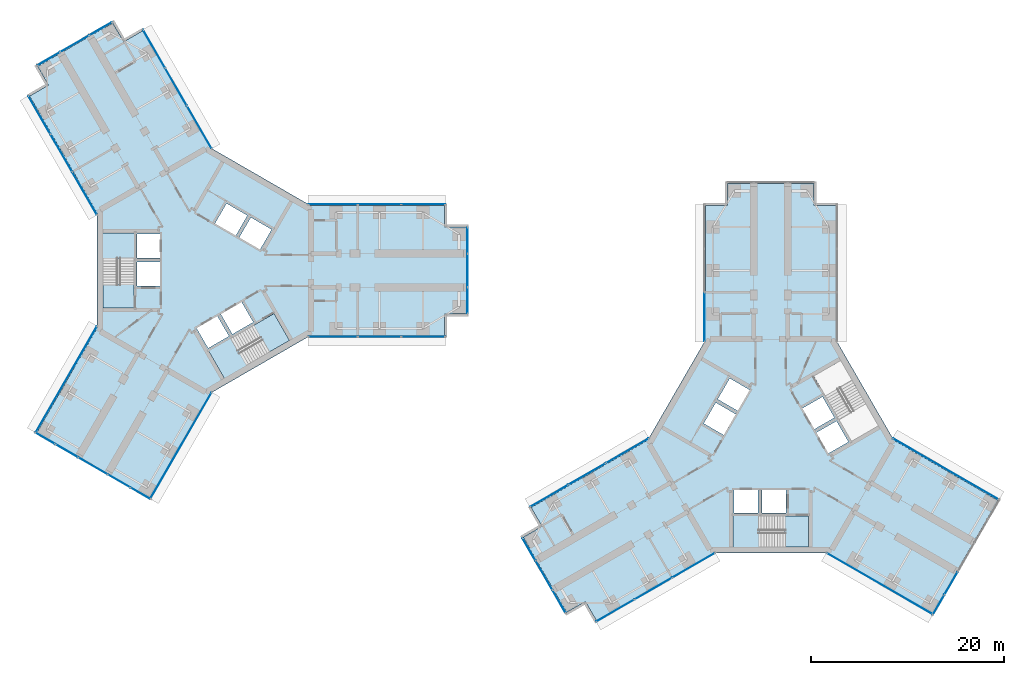
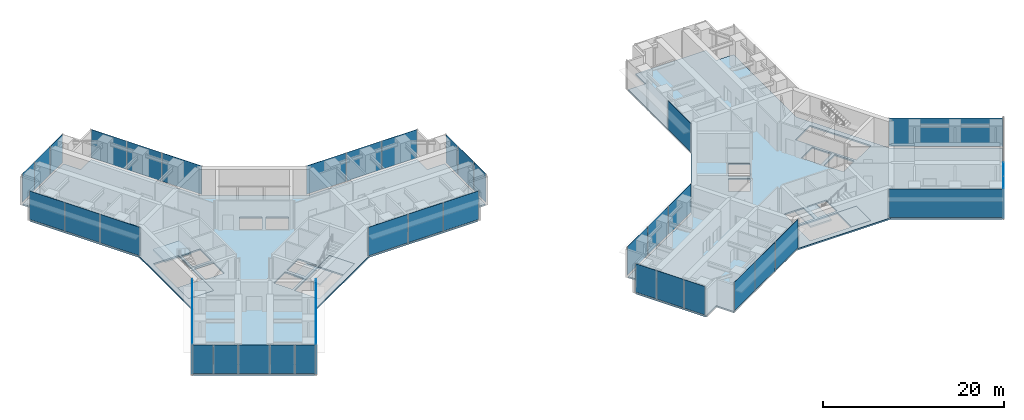
# One storey, part 13 of 21: 39 plates, 8 slabs, 19 elements without a shape of their own.
"""IFC4 building model written with IfcOpenShell, lengths in metres."""

from ifc_helpers import new_model, si_unit, direction, frame, origin, origin_2d, place, context, subcontext, project, spatial, polyline, rectangle, outline, extrude, material, layer, layer_set, type_object, element, aggregate, save


model = new_model("IFC4")

# Units and contexts
model_context = context("Model", 3, precision=1e-05, world=origin(), true_north=direction((0.0, 1.0)))
body_context = subcontext(model_context, "Body", "Model", "MODEL_VIEW")
ifc_project = project(units=[si_unit("LENGTHUNIT", "METRE"), si_unit("AREAUNIT", "SQUARE_METRE"), si_unit("VOLUMEUNIT", "CUBIC_METRE"), si_unit("PLANEANGLEUNIT", "RADIAN"), si_unit("MASSUNIT", "GRAM", prefix="KILO")], contexts=[model_context])

# Site, building, storey
site_placement = place(None, origin())
site = spatial("IfcSite", under=ifc_project, at=site_placement, CompositionType="ELEMENT")
building_placement = place(site_placement, origin())
building = spatial("IfcBuilding", under=site, at=building_placement, Name="Upepo Twin Towers", CompositionType="ELEMENT")
storey_placement = place(building_placement, frame((0.0, 0.0, 109.5)))
storey = spatial("IfcBuildingStorey", under=building, at=storey_placement, Name="L26", CompositionType="ELEMENT", Elevation=109.5)

# Curtain wall, plates
ifc_material_1 = material(Name="Aluminium and fritted glass", Category="aluminium")
curtain_wall_type = type_object("IfcCurtainWallType", Name="Tower curtain wall TW2, fritted glass", PredefinedType="NOTDEFINED", material=ifc_material_1)
curtain_wall_1_placement = place(storey_placement, origin())
curtain_wall_1 = element("IfcCurtainWall", 1, at=curtain_wall_1_placement, inside=storey, type_object=curtain_wall_type, Name="T1 L26 wing A flank L curtain wall", PredefinedType="NOTDEFINED")
ifc_material_2 = material(Name="Ceramic-fritted laminated glass", Category="glass")
ifc_layer_1 = layer(ifc_material_2, 0.031982421875)
ifc_layer_set_1 = layer_set([ifc_layer_1], Name="Fritted glass panel, 35 per cent dot frit, 32 mm double glazed")
plate_type_1 = type_object("IfcPlateType", Name="Fritted glass panel, 35 per cent dot frit, 32 mm double glazed", PredefinedType="CURTAIN_PANEL", material=ifc_layer_set_1)
plate_1_placement = place(storey_placement, frame((13.184814453125, 6.85009765625, 0.14990234375), z_axis=(0.0, 0.0, 1.0), x_axis=(1.0, 0.0, 0.0)))
plate_1 = element("IfcPlate", 2, at=plate_1_placement, type_object=plate_type_1, Name="T1 L26 wing A flank L curtain wall panel 1", PredefinedType="CURTAIN_PANEL", context=body_context, shape_type="SweptSolid", body=[
    extrude(rectangle(XDim=5.0654296875, YDim=0.031982421875, at=origin_2d()), origin(), (0.0, 0.0, 1.0), 3.85009765625),
])
plate_2_placement = place(storey_placement, frame((18.0, 6.85009765625, 0.14990234375), z_axis=(0.0, 0.0, 1.0), x_axis=(1.0, 0.0, 0.0)))
plate_2 = element("IfcPlate", 3, at=plate_2_placement, type_object=plate_type_1, Name="T1 L26 wing A flank L curtain wall panel 2", PredefinedType="CURTAIN_PANEL", context=body_context, shape_type="SweptSolid", body=[
    extrude(rectangle(XDim=4.43505859375, YDim=0.031982421875, at=origin_2d()), origin(), (0.0, 0.0, 1.0), 3.85009765625),
])
plate_3_placement = place(storey_placement, frame((22.53369140625, 6.85009765625, 0.14990234375), z_axis=(0.0, 0.0, 1.0), x_axis=(1.0, 0.0, 0.0)))
plate_3 = element("IfcPlate", 4, at=plate_3_placement, type_object=plate_type_1, Name="T1 L26 wing A flank L curtain wall panel 3", PredefinedType="CURTAIN_PANEL", context=body_context, shape_type="SweptSolid", body=[
    extrude(rectangle(XDim=4.50244140625, YDim=0.031982421875, at=origin_2d()), origin(), (0.0, 0.0, 1.0), 3.85009765625),
])
aggregate(curtain_wall_1, [plate_1, plate_2, plate_3])

curtain_wall_2_placement = place(storey_placement, origin())
curtain_wall_2 = element("IfcCurtainWall", 5, at=curtain_wall_2_placement, inside=storey, type_object=curtain_wall_type, Name="T1 L26 wing A flank R curtain wall", PredefinedType="NOTDEFINED")
plate_4_placement = place(storey_placement, frame((22.53369140625, -6.85009765625, 0.14990234375), z_axis=(0.0, 0.0, 1.0), x_axis=(-1.0, 0.0, 0.0)))
plate_4 = element("IfcPlate", 6, at=plate_4_placement, type_object=plate_type_1, Name="T1 L26 wing A flank R curtain wall panel 1", PredefinedType="CURTAIN_PANEL", context=body_context, shape_type="SweptSolid", body=[
    extrude(rectangle(XDim=4.50244140625, YDim=0.031982421875, at=origin_2d()), origin(), (0.0, 0.0, 1.0), 3.85009765625),
])
plate_5_placement = place(storey_placement, frame((18.0, -6.85009765625, 0.14990234375), z_axis=(0.0, 0.0, 1.0), x_axis=(-1.0, 0.0, 0.0)))
plate_5 = element("IfcPlate", 7, at=plate_5_placement, type_object=plate_type_1, Name="T1 L26 wing A flank R curtain wall panel 2", PredefinedType="CURTAIN_PANEL", context=body_context, shape_type="SweptSolid", body=[
    extrude(rectangle(XDim=4.43505859375, YDim=0.031982421875, at=origin_2d()), origin(), (0.0, 0.0, 1.0), 3.85009765625),
])
plate_6_placement = place(storey_placement, frame((13.184814453125, -6.85009765625, 0.14990234375), z_axis=(0.0, 0.0, 1.0), x_axis=(-1.0, 0.0, 0.0)))
plate_6 = element("IfcPlate", 8, at=plate_6_placement, type_object=plate_type_1, Name="T1 L26 wing A flank R curtain wall panel 3", PredefinedType="CURTAIN_PANEL", context=body_context, shape_type="SweptSolid", body=[
    extrude(rectangle(XDim=5.0654296875, YDim=0.031982421875, at=origin_2d()), origin(), (0.0, 0.0, 1.0), 3.85009765625),
])
aggregate(curtain_wall_2, [plate_4, plate_5, plate_6])

# Curtain wall, plate
curtain_wall_3_placement = place(storey_placement, origin())
curtain_wall_3 = element("IfcCurtainWall", 9, at=curtain_wall_3_placement, inside=storey, type_object=curtain_wall_type, Name="T1 L26 wing A nose curtain wall", PredefinedType="NOTDEFINED")
plate_7_placement = place(storey_placement, frame((27.10009765625, 0.0, 0.14990234375), z_axis=(0.0, 0.0, 1.0), x_axis=(0.0, 1.0, 0.0)))
plate_7 = element("IfcPlate", 10, at=plate_7_placement, type_object=plate_type_1, Name="T1 L26 wing A nose curtain wall panel 2", PredefinedType="CURTAIN_PANEL", context=body_context, shape_type="SweptSolid", body=[
    extrude(rectangle(XDim=3.43505859375, YDim=0.031982421875, at=origin_2d()), origin(), (0.0, 0.0, 1.0), 3.85009765625),
])

# Curtain wall, plates
curtain_wall_4_placement = place(storey_placement, origin())
curtain_wall_4 = element("IfcCurtainWall", 11, at=curtain_wall_4_placement, inside=storey, type_object=curtain_wall_type, Name="T1 L26 wing B flank L curtain wall", PredefinedType="NOTDEFINED")
plate_8_placement = place(storey_placement, frame((-12.524658203125, 7.993408203125, 0.14990234375), z_axis=(0.0, 0.0, 1.0), x_axis=(-0.500000010308, 0.866025397833, 0.0)))
plate_8 = element("IfcPlate", 12, at=plate_8_placement, type_object=plate_type_1, Name="T1 L26 wing B flank L curtain wall panel 1", PredefinedType="CURTAIN_PANEL", context=body_context, shape_type="SweptSolid", body=[
    extrude(rectangle(XDim=5.0654296875, YDim=0.031982421875, at=origin_2d()), origin(), (0.0, 0.0, 1.0), 3.85009765625),
])
plate_9_placement = place(storey_placement, frame((-14.932373046875, 12.16357421875, 0.14990234375), z_axis=(0.0, 0.0, 1.0), x_axis=(-0.500000010308, 0.866025397833, 0.0)))
plate_9 = element("IfcPlate", 13, at=plate_9_placement, type_object=plate_type_1, Name="T1 L26 wing B flank L curtain wall panel 2", PredefinedType="CURTAIN_PANEL", context=body_context, shape_type="SweptSolid", body=[
    extrude(rectangle(XDim=4.43505859375, YDim=0.031982421875, at=origin_2d()), origin(), (0.0, 0.0, 1.0), 3.85009765625),
])
plate_10_placement = place(storey_placement, frame((-17.19921875, 16.08984375, 0.14990234375), z_axis=(0.0, 0.0, 1.0), x_axis=(-0.500000010308, 0.866025397833, 0.0)))
plate_10 = element("IfcPlate", 14, at=plate_10_placement, type_object=plate_type_1, Name="T1 L26 wing B flank L curtain wall panel 3", PredefinedType="CURTAIN_PANEL", context=body_context, shape_type="SweptSolid", body=[
    extrude(rectangle(XDim=4.50244140625, YDim=0.031982421875, at=origin_2d()), origin(), (0.0, 0.0, 1.0), 3.85009765625),
])
aggregate(curtain_wall_4, [plate_8, plate_9, plate_10])

curtain_wall_5_placement = place(storey_placement, origin())
curtain_wall_5 = element("IfcCurtainWall", 15, at=curtain_wall_5_placement, inside=storey, type_object=curtain_wall_type, Name="T1 L26 wing B flank R curtain wall", PredefinedType="NOTDEFINED")
plate_11_placement = place(storey_placement, frame((-5.334716796875, 22.939697265625, 0.14990234375), z_axis=(0.0, 0.0, 1.0), x_axis=(0.500000010308, -0.866025397833, 0.0)))
plate_11 = element("IfcPlate", 16, at=plate_11_placement, type_object=plate_type_1, Name="T1 L26 wing B flank R curtain wall panel 1", PredefinedType="CURTAIN_PANEL", context=body_context, shape_type="SweptSolid", body=[
    extrude(rectangle(XDim=4.50244140625, YDim=0.031982421875, at=origin_2d()), origin(), (0.0, 0.0, 1.0), 3.85009765625),
])
plate_12_placement = place(storey_placement, frame((-3.067626953125, 19.013427734375, 0.14990234375), z_axis=(0.0, 0.0, 1.0), x_axis=(0.500000010308, -0.866025397833, 0.0)))
plate_12 = element("IfcPlate", 17, at=plate_12_placement, type_object=plate_type_1, Name="T1 L26 wing B flank R curtain wall panel 2", PredefinedType="CURTAIN_PANEL", context=body_context, shape_type="SweptSolid", body=[
    extrude(rectangle(XDim=4.43505859375, YDim=0.031982421875, at=origin_2d()), origin(), (0.0, 0.0, 1.0), 3.85009765625),
])
plate_13_placement = place(storey_placement, frame((-0.66015625, 14.84326171875, 0.14990234375), z_axis=(0.0, 0.0, 1.0), x_axis=(0.500000010308, -0.866025397833, 0.0)))
plate_13 = element("IfcPlate", 18, at=plate_13_placement, type_object=plate_type_1, Name="T1 L26 wing B flank R curtain wall panel 3", PredefinedType="CURTAIN_PANEL", context=body_context, shape_type="SweptSolid", body=[
    extrude(rectangle(XDim=5.0654296875, YDim=0.031982421875, at=origin_2d()), origin(), (0.0, 0.0, 1.0), 3.85009765625),
])
aggregate(curtain_wall_5, [plate_11, plate_12, plate_13])

# Curtain wall, plate
curtain_wall_6_placement = place(storey_placement, origin())
curtain_wall_6 = element("IfcCurtainWall", 19, at=curtain_wall_6_placement, inside=storey, type_object=curtain_wall_type, Name="T1 L26 wing B nose curtain wall", PredefinedType="NOTDEFINED")
plate_14_placement = place(storey_placement, frame((-13.550048828125, 23.46923828125, 0.14990234375), z_axis=(0.0, 0.0, 1.0), x_axis=(-0.866025386174, -0.500000030502, 0.0)))
plate_14 = element("IfcPlate", 20, at=plate_14_placement, type_object=plate_type_1, Name="T1 L26 wing B nose curtain wall panel 2", PredefinedType="CURTAIN_PANEL", context=body_context, shape_type="SweptSolid", body=[
    extrude(rectangle(XDim=3.43505859375, YDim=0.031982421875, at=origin_2d()), origin(), (0.0, 0.0, 1.0), 3.85009765625),
])

curtain_wall_7_placement = place(storey_placement, origin())
curtain_wall_7 = element("IfcCurtainWall", 21, at=curtain_wall_7_placement, inside=storey, type_object=curtain_wall_type, Name="T1 L26 wing C flank L curtain wall", PredefinedType="NOTDEFINED")
plate_15_placement = place(storey_placement, frame((-2.552001953125, -18.1201171875, 0.14990234375), z_axis=(0.0, 0.0, 1.0), x_axis=(-0.50000000792, -0.866025399212, 0.0)))
plate_15 = element("IfcPlate", 22, at=plate_15_placement, type_object=plate_type_1, Name="T1 L26 wing C flank L curtain wall panel 1", PredefinedType="CURTAIN_PANEL", context=body_context, shape_type="SweptSolid", body=[
    extrude(rectangle(XDim=12.6328125, YDim=0.031982421875, at=origin_2d()), origin(), (0.0, 0.0, 1.0), 3.85009765625),
])
aggregate(curtain_wall_7, [plate_15])

curtain_wall_8_placement = place(storey_placement, origin())
curtain_wall_8 = element("IfcCurtainWall", 23, at=curtain_wall_8_placement, inside=storey, type_object=curtain_wall_type, Name="T1 L26 wing C flank R curtain wall", PredefinedType="NOTDEFINED")
plate_16_placement = place(storey_placement, frame((-14.41650390625, -11.270263671875, 0.14990234375), z_axis=(0.0, 0.0, 1.0), x_axis=(0.50000000792, 0.866025399212, 0.0)))
plate_16 = element("IfcPlate", 24, at=plate_16_placement, type_object=plate_type_1, Name="T1 L26 wing C flank R curtain wall panel 1", PredefinedType="CURTAIN_PANEL", context=body_context, shape_type="SweptSolid", body=[
    extrude(rectangle(XDim=12.6328125, YDim=0.031982421875, at=origin_2d()), origin(), (0.0, 0.0, 1.0), 3.85009765625),
])
aggregate(curtain_wall_8, [plate_16])

# Curtain wall, plates
curtain_wall_9_placement = place(storey_placement, origin())
curtain_wall_9 = element("IfcCurtainWall", 25, at=curtain_wall_9_placement, inside=storey, type_object=curtain_wall_type, Name="T1 L26 wing C nose curtain wall", PredefinedType="NOTDEFINED")
plate_17_placement = place(storey_placement, frame((-14.38134765625, -18.6591796875, 0.14990234375), z_axis=(0.0, 0.0, 1.0), x_axis=(0.866025419745, -0.499999972355, 0.0)))
plate_17 = element("IfcPlate", 26, at=plate_17_placement, type_object=plate_type_1, Name="T1 L26 wing C nose curtain wall panel 2", PredefinedType="CURTAIN_PANEL", context=body_context, shape_type="SweptSolid", body=[
    extrude(rectangle(XDim=2.68505859375, YDim=0.031982421875, at=origin_2d()), origin(), (0.0, 0.0, 1.0), 3.85009765625),
])
plate_18_placement = place(storey_placement, frame((-11.675048828125, -20.2216796875, 0.14990234375), z_axis=(0.0, 0.0, 1.0), x_axis=(0.866025419745, -0.499999972355, 0.0)))
plate_18 = element("IfcPlate", 27, at=plate_18_placement, type_object=plate_type_1, Name="T1 L26 wing C nose curtain wall panel 3", PredefinedType="CURTAIN_PANEL", context=body_context, shape_type="SweptSolid", body=[
    extrude(rectangle(XDim=3.43505859375, YDim=0.031982421875, at=origin_2d()), origin(), (0.0, 0.0, 1.0), 3.85009765625),
])
plate_19_placement = place(storey_placement, frame((-8.96875, -21.7841796875, 0.14990234375), z_axis=(0.0, 0.0, 1.0), x_axis=(0.866025419745, -0.499999972355, 0.0)))
plate_19 = element("IfcPlate", 28, at=plate_19_placement, type_object=plate_type_1, Name="T1 L26 wing C nose curtain wall panel 4", PredefinedType="CURTAIN_PANEL", context=body_context, shape_type="SweptSolid", body=[
    extrude(rectangle(XDim=2.68505859375, YDim=0.031982421875, at=origin_2d()), origin(), (0.0, 0.0, 1.0), 3.85009765625),
])

# Curtain wall, plate
curtain_wall_10_placement = place(storey_placement, origin())
curtain_wall_10 = element("IfcCurtainWall", 29, at=curtain_wall_10_placement, inside=storey, type_object=curtain_wall_type, Name="T2 L26 wing A flank L curtain wall", PredefinedType="NOTDEFINED")
plate_20_placement = place(storey_placement, frame((51.64990234375, -4.815185546875, 0.14990234375), z_axis=(0.0, 0.0, 1.0), x_axis=(0.0, 1.0, 0.0)))
plate_20 = element("IfcPlate", 30, at=plate_20_placement, type_object=plate_type_1, Name="T2 L26 wing A flank L curtain wall panel 1", PredefinedType="CURTAIN_PANEL", context=body_context, shape_type="SweptSolid", body=[
    extrude(rectangle(XDim=5.0654296875, YDim=0.031982421875, at=origin_2d()), origin(), (0.0, 0.0, 1.0), 3.85009765625),
])
aggregate(curtain_wall_10, [plate_20])

# Curtain wall, plates
curtain_wall_11_placement = place(storey_placement, origin())
curtain_wall_11 = element("IfcCurtainWall", 31, at=curtain_wall_11_placement, inside=storey, type_object=curtain_wall_type, Name="T2 L26 wing B flank L curtain wall", PredefinedType="NOTDEFINED")
plate_21_placement = place(storey_placement, frame((50.506591796875, -30.524658203125, 0.14990234375), z_axis=(0.0, 0.0, 1.0), x_axis=(-0.866025397833, -0.500000010308, 0.0)))
plate_21 = element("IfcPlate", 32, at=plate_21_placement, type_object=plate_type_1, Name="T2 L26 wing B flank L curtain wall panel 1", PredefinedType="CURTAIN_PANEL", context=body_context, shape_type="SweptSolid", body=[
    extrude(rectangle(XDim=5.0654296875, YDim=0.031982421875, at=origin_2d()), origin(), (0.0, 0.0, 1.0), 3.85009765625),
])
plate_22_placement = place(storey_placement, frame((46.33642578125, -32.932373046875, 0.14990234375), z_axis=(0.0, 0.0, 1.0), x_axis=(-0.866025397833, -0.500000010308, 0.0)))
plate_22 = element("IfcPlate", 33, at=plate_22_placement, type_object=plate_type_1, Name="T2 L26 wing B flank L curtain wall panel 2", PredefinedType="CURTAIN_PANEL", context=body_context, shape_type="SweptSolid", body=[
    extrude(rectangle(XDim=4.43505859375, YDim=0.031982421875, at=origin_2d()), origin(), (0.0, 0.0, 1.0), 3.85009765625),
])
plate_23_placement = place(storey_placement, frame((42.41015625, -35.19921875, 0.14990234375), z_axis=(0.0, 0.0, 1.0), x_axis=(-0.866025397833, -0.500000010308, 0.0)))
plate_23 = element("IfcPlate", 34, at=plate_23_placement, type_object=plate_type_1, Name="T2 L26 wing B flank L curtain wall panel 3", PredefinedType="CURTAIN_PANEL", context=body_context, shape_type="SweptSolid", body=[
    extrude(rectangle(XDim=4.50244140625, YDim=0.031982421875, at=origin_2d()), origin(), (0.0, 0.0, 1.0), 3.85009765625),
])
aggregate(curtain_wall_11, [plate_21, plate_22, plate_23])

curtain_wall_12_placement = place(storey_placement, origin())
curtain_wall_12 = element("IfcCurtainWall", 35, at=curtain_wall_12_placement, inside=storey, type_object=curtain_wall_type, Name="T2 L26 wing B flank R curtain wall", PredefinedType="NOTDEFINED")
plate_24_placement = place(storey_placement, frame((35.560302734375, -23.334716796875, 0.14990234375), z_axis=(0.0, 0.0, 1.0), x_axis=(0.866025397833, 0.500000010308, 0.0)))
plate_24 = element("IfcPlate", 36, at=plate_24_placement, type_object=plate_type_1, Name="T2 L26 wing B flank R curtain wall panel 1", PredefinedType="CURTAIN_PANEL", context=body_context, shape_type="SweptSolid", body=[
    extrude(rectangle(XDim=4.50244140625, YDim=0.031982421875, at=origin_2d()), origin(), (0.0, 0.0, 1.0), 3.85009765625),
])
plate_25_placement = place(storey_placement, frame((39.486572265625, -21.067626953125, 0.14990234375), z_axis=(0.0, 0.0, 1.0), x_axis=(0.866025397833, 0.500000010308, 0.0)))
plate_25 = element("IfcPlate", 37, at=plate_25_placement, type_object=plate_type_1, Name="T2 L26 wing B flank R curtain wall panel 2", PredefinedType="CURTAIN_PANEL", context=body_context, shape_type="SweptSolid", body=[
    extrude(rectangle(XDim=4.43505859375, YDim=0.031982421875, at=origin_2d()), origin(), (0.0, 0.0, 1.0), 3.85009765625),
])
plate_26_placement = place(storey_placement, frame((43.65673828125, -18.66015625, 0.14990234375), z_axis=(0.0, 0.0, 1.0), x_axis=(0.866025397833, 0.500000010308, 0.0)))
plate_26 = element("IfcPlate", 38, at=plate_26_placement, type_object=plate_type_1, Name="T2 L26 wing B flank R curtain wall panel 3", PredefinedType="CURTAIN_PANEL", context=body_context, shape_type="SweptSolid", body=[
    extrude(rectangle(XDim=5.0654296875, YDim=0.031982421875, at=origin_2d()), origin(), (0.0, 0.0, 1.0), 3.85009765625),
])
aggregate(curtain_wall_12, [plate_24, plate_25, plate_26])

# Curtain wall, plate
curtain_wall_13_placement = place(storey_placement, origin())
curtain_wall_13 = element("IfcCurtainWall", 39, at=curtain_wall_13_placement, inside=storey, type_object=curtain_wall_type, Name="T2 L26 wing B nose curtain wall", PredefinedType="NOTDEFINED")
plate_27_placement = place(storey_placement, frame((35.03076171875, -31.550048828125, 0.14990234375), z_axis=(0.0, 0.0, 1.0), x_axis=(0.500000030502, -0.866025386174, 0.0)))
plate_27 = element("IfcPlate", 40, at=plate_27_placement, type_object=plate_type_1, Name="T2 L26 wing B nose curtain wall panel 2", PredefinedType="CURTAIN_PANEL", context=body_context, shape_type="SweptSolid", body=[
    extrude(rectangle(XDim=3.43505859375, YDim=0.031982421875, at=origin_2d()), origin(), (0.0, 0.0, 1.0), 3.85009765625),
])

curtain_wall_14_placement = place(storey_placement, origin())
curtain_wall_14 = element("IfcCurtainWall", 41, at=curtain_wall_14_placement, inside=storey, type_object=curtain_wall_type, Name="T2 L26 wing C flank L curtain wall", PredefinedType="NOTDEFINED")
plate_28_placement = place(storey_placement, frame((76.6201171875, -20.552001953125, 0.14990234375), z_axis=(0.0, 0.0, 1.0), x_axis=(0.866025399212, -0.50000000792, 0.0)))
plate_28 = element("IfcPlate", 42, at=plate_28_placement, type_object=plate_type_1, Name="T2 L26 wing C flank L curtain wall panel 1", PredefinedType="CURTAIN_PANEL", context=body_context, shape_type="SweptSolid", body=[
    extrude(rectangle(XDim=12.6328125, YDim=0.031982421875, at=origin_2d()), origin(), (0.0, 0.0, 1.0), 3.85009765625),
])
aggregate(curtain_wall_14, [plate_28])

curtain_wall_15_placement = place(storey_placement, origin())
curtain_wall_15 = element("IfcCurtainWall", 43, at=curtain_wall_15_placement, inside=storey, type_object=curtain_wall_type, Name="T2 L26 wing C flank R curtain wall", PredefinedType="NOTDEFINED")
plate_29_placement = place(storey_placement, frame((69.770263671875, -32.41650390625, 0.14990234375), z_axis=(0.0, 0.0, 1.0), x_axis=(-0.866025399212, 0.50000000792, 0.0)))
plate_29 = element("IfcPlate", 44, at=plate_29_placement, type_object=plate_type_1, Name="T2 L26 wing C flank R curtain wall panel 1", PredefinedType="CURTAIN_PANEL", context=body_context, shape_type="SweptSolid", body=[
    extrude(rectangle(XDim=12.6328125, YDim=0.031982421875, at=origin_2d()), origin(), (0.0, 0.0, 1.0), 3.85009765625),
])
aggregate(curtain_wall_15, [plate_29])

curtain_wall_16_placement = place(storey_placement, origin())
curtain_wall_16 = element("IfcCurtainWall", 45, at=curtain_wall_16_placement, inside=storey, type_object=curtain_wall_type, Name="T2 L26 wing C nose curtain wall", PredefinedType="NOTDEFINED")
plate_30_placement = place(storey_placement, frame((77.1591796875, -32.38134765625, 0.14990234375), z_axis=(0.0, 0.0, 1.0), x_axis=(0.499999972355, 0.866025419745, 0.0)))
plate_30 = element("IfcPlate", 46, at=plate_30_placement, type_object=plate_type_1, Name="T2 L26 wing C nose curtain wall panel 2", PredefinedType="CURTAIN_PANEL", context=body_context, shape_type="SweptSolid", body=[
    extrude(rectangle(XDim=2.68505859375, YDim=0.031982421875, at=origin_2d()), origin(), (0.0, 0.0, 1.0), 3.85009765625),
])

# Plate
ifc_material_3 = material(Name="Clear laminated glass in opening sash", Category="glass")
ifc_layer_2 = layer(ifc_material_3, 0.031982421875)
ifc_layer_set_2 = layer_set([ifc_layer_2], Name="Operable glass panel, 32 mm double glazed")
plate_type_2 = type_object("IfcPlateType", Name="Operable glass panel, 32 mm double glazed", PredefinedType="CURTAIN_PANEL", material=ifc_layer_set_2)
plate_31_placement = place(storey_placement, frame((27.10009765625, -3.108642578125, 0.14990234375), z_axis=(0.0, 0.0, 1.0), x_axis=(0.0, 1.0, 0.0)))
plate_31 = element("IfcPlate", 47, at=plate_31_placement, type_object=plate_type_2, Name="T1 L26 wing A nose curtain wall panel 1", PredefinedType="CURTAIN_PANEL", context=body_context, shape_type="SweptSolid", body=[
    extrude(rectangle(XDim=2.652587890625, YDim=0.031982421875, at=origin_2d()), origin(), (0.0, 0.0, 1.0), 3.85009765625),
])

plate_32_placement = place(storey_placement, frame((27.10009765625, 3.108642578125, 0.14990234375), z_axis=(0.0, 0.0, 1.0), x_axis=(0.0, 1.0, 0.0)))
plate_32 = element("IfcPlate", 48, at=plate_32_placement, type_object=plate_type_2, Name="T1 L26 wing A nose curtain wall panel 3", PredefinedType="CURTAIN_PANEL", context=body_context, shape_type="SweptSolid", body=[
    extrude(rectangle(XDim=2.652587890625, YDim=0.031982421875, at=origin_2d()), origin(), (0.0, 0.0, 1.0), 3.85009765625),
])

aggregate(curtain_wall_3, [plate_31, plate_7, plate_32])

plate_33_placement = place(storey_placement, frame((-10.857666015625, 25.023681640625, 0.14990234375), z_axis=(0.0, 0.0, 1.0), x_axis=(-0.866025386174, -0.500000030502, 0.0)))
plate_33 = element("IfcPlate", 49, at=plate_33_placement, type_object=plate_type_2, Name="T1 L26 wing B nose curtain wall panel 1", PredefinedType="CURTAIN_PANEL", context=body_context, shape_type="SweptSolid", body=[
    extrude(rectangle(XDim=2.652587890625, YDim=0.031982421875, at=origin_2d()), origin(), (0.0, 0.0, 1.0), 3.85009765625),
])

plate_34_placement = place(storey_placement, frame((-16.2421875, 21.914794921875, 0.14990234375), z_axis=(0.0, 0.0, 1.0), x_axis=(-0.866025386174, -0.500000030502, 0.0)))
plate_34 = element("IfcPlate", 50, at=plate_34_placement, type_object=plate_type_2, Name="T1 L26 wing B nose curtain wall panel 3", PredefinedType="CURTAIN_PANEL", context=body_context, shape_type="SweptSolid", body=[
    extrude(rectangle(XDim=2.652587890625, YDim=0.031982421875, at=origin_2d()), origin(), (0.0, 0.0, 1.0), 3.85009765625),
])

aggregate(curtain_wall_6, [plate_33, plate_14, plate_34])

plate_35_placement = place(storey_placement, frame((-16.618896484375, -17.367431640625, 0.14990234375), z_axis=(0.0, 0.0, 1.0), x_axis=(0.866025419745, -0.499999972355, 0.0)))
plate_35 = element("IfcPlate", 51, at=plate_35_placement, type_object=plate_type_2, Name="T1 L26 wing C nose curtain wall panel 1", PredefinedType="CURTAIN_PANEL", context=body_context, shape_type="SweptSolid", body=[
    extrude(rectangle(XDim=2.3525390625, YDim=0.031982421875, at=origin_2d()), origin(), (0.0, 0.0, 1.0), 3.85009765625),
])

plate_36_placement = place(storey_placement, frame((-6.73095703125, -23.076171875, 0.14990234375), z_axis=(0.0, 0.0, 1.0), x_axis=(0.866025419745, -0.499999972355, 0.0)))
plate_36 = element("IfcPlate", 52, at=plate_36_placement, type_object=plate_type_2, Name="T1 L26 wing C nose curtain wall panel 5", PredefinedType="CURTAIN_PANEL", context=body_context, shape_type="SweptSolid", body=[
    extrude(rectangle(XDim=2.3525390625, YDim=0.031982421875, at=origin_2d()), origin(), (0.0, 0.0, 1.0), 3.85009765625),
])

aggregate(curtain_wall_9, [plate_35, plate_17, plate_18, plate_19, plate_36])

plate_37_placement = place(storey_placement, frame((33.476318359375, -28.857666015625, 0.14990234375), z_axis=(0.0, 0.0, 1.0), x_axis=(0.500000030502, -0.866025386174, 0.0)))
plate_37 = element("IfcPlate", 53, at=plate_37_placement, type_object=plate_type_2, Name="T2 L26 wing B nose curtain wall panel 1", PredefinedType="CURTAIN_PANEL", context=body_context, shape_type="SweptSolid", body=[
    extrude(rectangle(XDim=2.652587890625, YDim=0.031982421875, at=origin_2d()), origin(), (0.0, 0.0, 1.0), 3.85009765625),
])

plate_38_placement = place(storey_placement, frame((36.585205078125, -34.2421875, 0.14990234375), z_axis=(0.0, 0.0, 1.0), x_axis=(0.500000030502, -0.866025386174, 0.0)))
plate_38 = element("IfcPlate", 54, at=plate_38_placement, type_object=plate_type_2, Name="T2 L26 wing B nose curtain wall panel 3", PredefinedType="CURTAIN_PANEL", context=body_context, shape_type="SweptSolid", body=[
    extrude(rectangle(XDim=2.652587890625, YDim=0.031982421875, at=origin_2d()), origin(), (0.0, 0.0, 1.0), 3.85009765625),
])

aggregate(curtain_wall_13, [plate_37, plate_27, plate_38])

plate_39_placement = place(storey_placement, frame((75.867431640625, -34.618896484375, 0.14990234375), z_axis=(0.0, 0.0, 1.0), x_axis=(0.499999972355, 0.866025419745, 0.0)))
plate_39 = element("IfcPlate", 55, at=plate_39_placement, type_object=plate_type_2, Name="T2 L26 wing C nose curtain wall panel 1", PredefinedType="CURTAIN_PANEL", context=body_context, shape_type="SweptSolid", body=[
    extrude(rectangle(XDim=2.3525390625, YDim=0.031982421875, at=origin_2d()), origin(), (0.0, 0.0, 1.0), 3.85009765625),
])

aggregate(curtain_wall_16, [plate_39, plate_30])

# Stair, slabs
ifc_material_4 = material(Name="Concrete C40/50", Category="concrete")
stair_type = type_object("IfcStairType", Name="Core stair, two flights", PredefinedType="HALF_TURN_STAIR", material=ifc_material_4)
stair_1_placement = place(storey_placement, origin())
stair_1 = element("IfcStair", 56, at=stair_1_placement, inside=storey, type_object=stair_type, Name="T1 stair S1 L26", PredefinedType="HALF_TURN_STAIR")
ifc_material_5 = material(Name="Concrete C40/50", Category="concrete")
ifc_layer_3 = layer(ifc_material_5, 0.199951171875)
ifc_layer_set_3 = layer_set([ifc_layer_3], Name="Concrete C40/50")
slab_type_1 = type_object("IfcSlabType", Name="Stair landing 200 RC", PredefinedType="LANDING", material=ifc_layer_set_3)
slab_1_placement = place(storey_placement, frame((0.0, 0.0, -0.199951171875)))
slab_1 = element("IfcSlab", 57, at=slab_1_placement, type_object=slab_type_1, Name="Stair S1 landing 1", PredefinedType="LANDING", context=body_context, shape_type="SweptSolid", body=[
    extrude(outline(polyline([(-7.39990234375, -1.419921875), (-10.6083984375, -1.419921875), (-10.6083984375, -3.89990234375), (-7.39990234375, -3.89990234375), (-7.39990234375, -1.419921875)])), origin(), (0.0, 0.0, 1.0), 0.199951171875),
])
slab_2_placement = place(storey_placement, frame((0.0, 0.0, 1.800048828125)))
slab_2 = element("IfcSlab", 58, at=slab_2_placement, type_object=slab_type_1, Name="Stair S1 landing 2", PredefinedType="LANDING", context=body_context, shape_type="SweptSolid", body=[
    extrude(outline(polyline([(-7.300048828125, 3.89990234375), (-10.708251953125, 3.89990234375), (-10.708251953125, 1.179931640625), (-7.300048828125, 1.179931640625), (-7.300048828125, 3.89990234375)])), origin(), (0.0, 0.0, 1.0), 0.199951171875),
])
aggregate(stair_1, [slab_1, slab_2])

stair_2_placement = place(storey_placement, origin())
stair_2 = element("IfcStair", 59, at=stair_2_placement, inside=storey, type_object=stair_type, Name="T1 stair S2 L26", PredefinedType="HALF_TURN_STAIR")
slab_3_placement = place(storey_placement, frame((0.0, 0.0, -0.199951171875)))
slab_3 = element("IfcSlab", 60, at=slab_3_placement, type_object=slab_type_1, Name="Stair S2 landing 1", PredefinedType="LANDING", context=body_context, shape_type="SweptSolid", body=[
    extrude(outline(polyline([(4.9296875, -5.698486328125), (6.533935546875, -8.47705078125), (8.681640625, -7.237060546875), (7.077392578125, -4.45849609375), (4.9296875, -5.698486328125)])), origin(), (0.0, 0.0, 1.0), 0.199951171875),
])
slab_4_placement = place(storey_placement, frame((0.0, 0.0, 1.800048828125)))
slab_4 = element("IfcSlab", 61, at=slab_4_placement, type_object=slab_type_1, Name="Stair S2 landing 2", PredefinedType="LANDING", context=body_context, shape_type="SweptSolid", body=[
    extrude(outline(polyline([(0.2724609375, -8.27197265625), (1.9765625, -11.2236328125), (4.332275390625, -9.86376953125), (2.628173828125, -6.911865234375), (0.2724609375, -8.27197265625)])), origin(), (0.0, 0.0, 1.0), 0.199951171875),
])
aggregate(stair_2, [slab_3, slab_4])

stair_3_placement = place(storey_placement, origin())
stair_3 = element("IfcStair", 62, at=stair_3_placement, inside=storey, type_object=stair_type, Name="T2 stair S1 L26", PredefinedType="HALF_TURN_STAIR")
slab_5_placement = place(storey_placement, frame((0.0, 0.0, -0.199951171875)))
slab_5 = element("IfcSlab", 63, at=slab_5_placement, type_object=slab_type_1, Name="Stair S1 landing 1", PredefinedType="LANDING", context=body_context, shape_type="SweptSolid", body=[
    extrude(outline(polyline([(59.919921875, -25.39990234375), (59.919921875, -28.6083984375), (62.39990234375, -28.6083984375), (62.39990234375, -25.39990234375), (59.919921875, -25.39990234375)])), origin(), (0.0, 0.0, 1.0), 0.199951171875),
])
slab_6_placement = place(storey_placement, frame((0.0, 0.0, 1.800048828125)))
slab_6 = element("IfcSlab", 64, at=slab_6_placement, type_object=slab_type_1, Name="Stair S1 landing 2", PredefinedType="LANDING", context=body_context, shape_type="SweptSolid", body=[
    extrude(outline(polyline([(54.60009765625, -25.300048828125), (54.60009765625, -28.708251953125), (57.320068359375, -28.708251953125), (57.320068359375, -25.300048828125), (54.60009765625, -25.300048828125)])), origin(), (0.0, 0.0, 1.0), 0.199951171875),
])
aggregate(stair_3, [slab_5, slab_6])

# Slabs
ifc_material_6 = material(Name="Concrete C40/50", Category="concrete")
ifc_layer_4 = layer(ifc_material_6, 0.199951171875)
ifc_layer_set_4 = layer_set([ifc_layer_4], Name="Concrete C40/50")
slab_type_2 = type_object("IfcSlabType", Name="Tower floor slab 200 RC", PredefinedType="FLOOR", material=ifc_layer_set_4)
slab_7_placement = place(storey_placement, frame((0.0, 0.0, -0.199951171875)))
element("IfcSlab", 65, at=slab_7_placement, inside=storey, type_object=slab_type_2, Name="T1 L26 floor slab", PredefinedType="FLOOR", context=body_context, shape_type="SweptSolid", body=[
    extrude(outline(polyline([(-17.470703125, -16.760009765625), (-11.25830078125, -6.0), (-11.25830078125, 6.0), (-18.220703125, 18.05908203125), (-16.272216796875, 19.18408203125), (-17.397216796875, 21.132568359375), (-9.602783203125, 25.632568359375), (-8.477783203125, 23.68408203125), (-6.529296875, 24.80908203125), (0.43310546875, 12.75), (10.825439453125, 6.75), (24.75, 6.75), (24.75, 4.5), (27.0, 4.5), (27.0, -4.5), (24.75, -4.5), (24.75, -6.75), (10.825439453125, -6.75), (0.43310546875, -12.75), (-5.779296875, -23.510009765625), (-17.470703125, -16.760009765625)]), holes=[polyline([(5.640869140625, 2.17041015625), (6.8408203125, 4.248779296875), (4.67578125, 5.498779296875), (3.475830078125, 3.42041015625), (5.640869140625, 2.17041015625)]), polyline([(3.12939453125, 3.620361328125), (4.329345703125, 5.69873046875), (2.164306640625, 6.94873046875), (0.96435546875, 4.870361328125), (3.12939453125, 3.620361328125)]), polyline([(-4.699951171875, 3.800048828125), (-7.10009765625, 3.800048828125), (-7.10009765625, 1.300048828125), (-4.699951171875, 1.300048828125), (-4.699951171875, 3.800048828125)]), polyline([(-4.699951171875, 0.89990234375), (-7.10009765625, 0.89990234375), (-7.10009765625, -1.60009765625), (-4.699951171875, -1.60009765625), (-4.699951171875, 0.89990234375)]), polyline([(-7.39990234375, 3.89990234375), (-10.6083984375, 3.89990234375), (-10.6083984375, -3.89990234375), (-7.39990234375, -3.89990234375), (-7.39990234375, 3.89990234375)]), polyline([(-0.94091796875, -5.97021484375), (0.259033203125, -8.048828125), (2.424072265625, -6.798828125), (1.22412109375, -4.72021484375), (-0.94091796875, -5.97021484375)]), polyline([(1.570556640625, -4.520263671875), (2.7705078125, -6.598876953125), (4.935546875, -5.348876953125), (3.735595703125, -3.270263671875), (1.570556640625, -4.520263671875)]), polyline([(0.322509765625, -8.358642578125), (1.9267578125, -11.136962890625), (8.681640625, -7.237060546875), (7.077392578125, -4.45849609375), (0.322509765625, -8.358642578125)])]), origin(), (0.0, 0.0, 1.0), 0.199951171875),
])
slab_8_placement = place(storey_placement, frame((0.0, 0.0, -0.199951171875)))
element("IfcSlab", 66, at=slab_8_placement, inside=storey, type_object=slab_type_2, Name="T2 L26 floor slab", PredefinedType="FLOOR", context=body_context, shape_type="SweptSolid", body=[
    extrude(outline(polyline([(75.260009765625, -35.470703125), (64.5, -29.25830078125), (52.5, -29.25830078125), (40.44091796875, -36.220703125), (39.31591796875, -34.272216796875), (37.367431640625, -35.397216796875), (32.867431640625, -27.602783203125), (34.81591796875, -26.477783203125), (33.69091796875, -24.529296875), (45.75, -17.56689453125), (51.75, -7.174560546875), (51.75, 6.75), (54.0, 6.75), (54.0, 9.0), (63.0, 9.0), (63.0, 6.75), (65.25, 6.75), (65.25, -7.174560546875), (71.25, -17.56689453125), (82.010009765625, -23.779296875), (75.260009765625, -35.470703125)]), holes=[polyline([(56.32958984375, -12.359130859375), (54.251220703125, -11.1591796875), (53.001220703125, -13.32421875), (55.07958984375, -14.524169921875), (56.32958984375, -12.359130859375)]), polyline([(54.879638671875, -14.87060546875), (52.80126953125, -13.670654296875), (51.55126953125, -15.835693359375), (53.629638671875, -17.03564453125), (54.879638671875, -14.87060546875)]), polyline([(54.699951171875, -22.699951171875), (54.699951171875, -25.10009765625), (57.199951171875, -25.10009765625), (57.199951171875, -22.699951171875), (54.699951171875, -22.699951171875)]), polyline([(57.60009765625, -22.699951171875), (57.60009765625, -25.10009765625), (60.10009765625, -25.10009765625), (60.10009765625, -22.699951171875), (57.60009765625, -22.699951171875)]), polyline([(54.60009765625, -25.39990234375), (54.60009765625, -28.6083984375), (62.39990234375, -28.6083984375), (62.39990234375, -25.39990234375), (54.60009765625, -25.39990234375)]), polyline([(64.47021484375, -18.94091796875), (66.548828125, -17.740966796875), (65.298828125, -15.575927734375), (63.22021484375, -16.77587890625), (64.47021484375, -18.94091796875)]), polyline([(63.020263671875, -16.429443359375), (65.098876953125, -15.2294921875), (63.848876953125, -13.064453125), (61.770263671875, -14.264404296875), (63.020263671875, -16.429443359375)]), polyline([(66.858642578125, -17.677490234375), (69.636962890625, -16.0732421875), (65.737060546875, -9.318359375), (62.95849609375, -10.922607421875), (66.858642578125, -17.677490234375)])]), origin(), (0.0, 0.0, 1.0), 0.199951171875),
])

save(model, "model.ifc")
